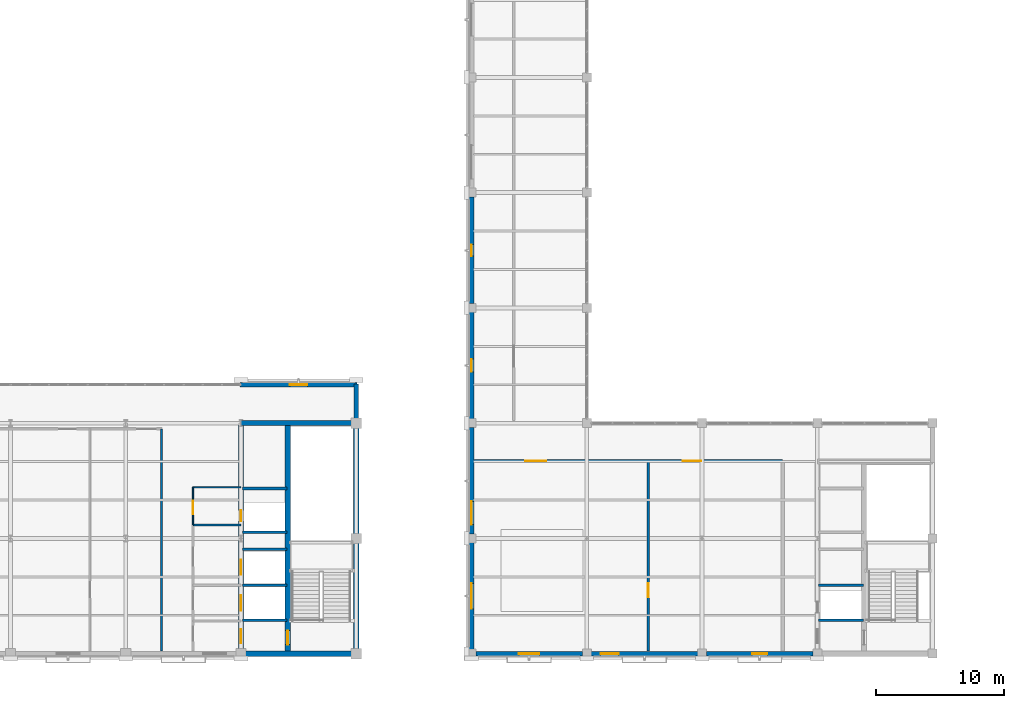
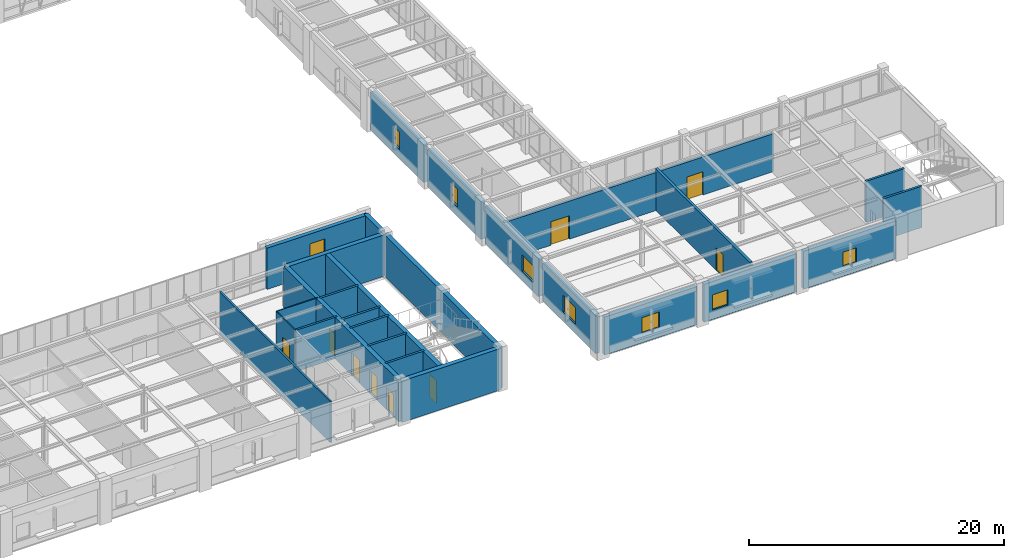
# One storey, part 92 of 108: 27 walls, 9 doors, 8 windows, 17 openings.
"""IFC4 building model written with IfcOpenShell, lengths in metres."""

from ifc_helpers import new_model, si_unit, direction, frame, frame_2d, origin, place, context, subcontext, project, spatial, rectangle, extrude, material, layer, layer_set, type_object, element, fill, save


model = new_model("IFC4")

# Units and contexts
model_context = context("Model", 3, precision=1e-05, world=origin(), true_north=direction((0.0, 1.0)))
body_context = subcontext(model_context, "Body", "Model", "MODEL_VIEW")
ifc_project = project(units=[si_unit("LENGTHUNIT", "METRE"), si_unit("AREAUNIT", "SQUARE_METRE"), si_unit("VOLUMEUNIT", "CUBIC_METRE"), si_unit("PLANEANGLEUNIT", "RADIAN"), si_unit("MASSUNIT", "GRAM", prefix="KILO")], contexts=[model_context])

# Site, building, storey
site_placement = place(None, origin())
site = spatial("IfcSite", under=ifc_project, at=site_placement, CompositionType="ELEMENT")
building_placement = place(site_placement, origin())
building = spatial("IfcBuilding", under=site, at=building_placement, Name="Lykobir Media Centre", CompositionType="ELEMENT")
storey_placement = place(building_placement, frame((0.0, 0.0, 15.0)))
storey = spatial("IfcBuildingStorey", under=building, at=storey_placement, Name="L03", CompositionType="ELEMENT", Elevation=15.0)

# Wall
ifc_material_1 = material(Name="Architectural Ochre Brick", Category="masonry")
ifc_layer_1 = layer(ifc_material_1, 0.360107421875, Name="Architectural Ochre Brick")
ifc_layer_set_1 = layer_set([ifc_layer_1], Name="Architectural Ochre Brick")
wall_type_1 = type_object("IfcWallType", Name="EW-BRK-360", PredefinedType="STANDARD", material=ifc_layer_set_1)
wall_1_placement = place(storey_placement, frame((81.0, 18.385009765625, 0.0), z_axis=(0.0, 0.0, 1.0), x_axis=(0.0, 1.0, 0.0)))
element("IfcWall", 1, at=wall_1_placement, inside=storey, type_object=wall_type_1, Name="Exterior wall WALL-L03-0236", PredefinedType="STANDARD", context=body_context, shape_type="SweptSolid", body=[
    extrude(rectangle(XDim=2.68994140625, YDim=0.360107421875, at=frame_2d((1.344970703125, 0.0))), origin(), (0.0, 0.0, 1.0), 3.93994140625),
])

# Wall, opening, window
wall_2_placement = place(storey_placement, frame((81.074951171875, 21.0, 0.0), z_axis=(0.0, 0.0, 1.0), x_axis=(-1.0, 0.0, 0.0)))
wall_2 = element("IfcWall", 2, at=wall_2_placement, inside=storey, type_object=wall_type_1, Name="Exterior wall WALL-L03-0237", PredefinedType="STANDARD", context=body_context, shape_type="SweptSolid", body=[
    extrude(rectangle(XDim=9.14990234375, YDim=0.360107421875, at=frame_2d((4.574951171875, 0.0))), origin(), (0.0, 0.0, 1.0), 3.93994140625),
])
opening_1_placement = place(wall_2_placement, frame((3.89990234375, 0.0, 0.89990234375)))
opening_1 = element("IfcOpeningElement", 3, at=opening_1_placement, cuts=wall_2, Name="Opening WN-1350x2100", PredefinedType="OPENING", context=body_context, shape_type="SweptSolid", body=[
    extrude(rectangle(XDim=1.35009765625, YDim=2.10009765625, at=frame_2d((0.675048828125, 1.050048828125))), frame((0.0, 0.18994140625, 0.0), z_axis=(0.0, -1.0, 0.0), x_axis=(1.0, 0.0, 0.0)), (0.0, 0.0, 1.0), 0.380126953125),
])
ifc_material_2 = material(Name="Low-E Laminated Triple Glazing", Category="glass")
window_type_1 = type_object("IfcWindowType", Name="WN-1350x2100", PartitioningType="SINGLE_PANEL", PredefinedType="WINDOW", material=ifc_material_2)
window_1_placement = place(opening_1_placement, origin())
window_1 = element("IfcWindow", 4, at=window_1_placement, inside=storey, type_object=window_type_1, Name="Window WIN-L03-0077", OverallHeight=2.10009765625, OverallWidth=1.35009765625, PartitioningType="SINGLE_PANEL", PredefinedType="WINDOW", context=body_context, shape_type="SweptSolid", body=[
    extrude(rectangle(XDim=1.35009765625, YDim=2.10009765625, at=frame_2d((0.675048828125, 1.050048828125))), frame((0.0, 0.030029296875, 0.0), z_axis=(0.0, -1.0, 0.0), x_axis=(1.0, 0.0, 0.0)), (0.0, 0.0, 1.0), 0.06005859375),
])
fill(opening_1, window_1)

wall_3_placement = place(storey_placement, frame((90.0, 26.6650390625, 0.0), z_axis=(0.0, 0.0, 1.0), x_axis=(0.0, -1.0, 0.0)))
wall_3 = element("IfcWall", 5, at=wall_3_placement, inside=storey, type_object=wall_type_1, Name="Exterior wall WALL-L03-0252", PredefinedType="STANDARD", context=body_context, shape_type="SweptSolid", body=[
    extrude(rectangle(XDim=8.330078125, YDim=0.360107421875, at=frame_2d((4.1650390625, 0.0))), origin(), (0.0, 0.0, 1.0), 3.635009765625),
])
opening_2_placement = place(wall_3_placement, frame((3.6650390625, 0.0, 0.89990234375)))
opening_2 = element("IfcOpeningElement", 6, at=opening_2_placement, cuts=wall_3, Name="Opening WN-1000x1700", PredefinedType="OPENING", context=body_context, shape_type="SweptSolid", body=[
    extrude(rectangle(XDim=1.0, YDim=1.699951171875, at=frame_2d((0.5, 0.85009765625))), frame((0.0, 0.18994140625, 0.0), z_axis=(0.0, -1.0, 0.0), x_axis=(1.0, 0.0, 0.0)), (0.0, 0.0, 1.0), 0.380126953125),
])
window_type_2 = type_object("IfcWindowType", Name="WN-1000x1700", PartitioningType="SINGLE_PANEL", PredefinedType="WINDOW", material=ifc_material_2)
window_2_placement = place(opening_2_placement, origin())
window_2 = element("IfcWindow", 7, at=window_2_placement, inside=storey, type_object=window_type_2, Name="Window WIN-L03-0083", OverallHeight=1.699951171875, OverallWidth=1.0, PartitioningType="SINGLE_PANEL", PredefinedType="WINDOW", context=body_context, shape_type="SweptSolid", body=[
    extrude(rectangle(XDim=1.0, YDim=1.699951171875, at=frame_2d((0.5, 0.85009765625))), frame((0.0, 0.030029296875, 0.0), z_axis=(0.0, -1.0, 0.0), x_axis=(1.0, 0.0, 0.0)), (0.0, 0.0, 1.0), 0.06005859375),
])
fill(opening_2, window_2)

wall_4_placement = place(storey_placement, frame((90.0, 35.6650390625, 0.0), z_axis=(0.0, 0.0, 1.0), x_axis=(0.0, -1.0, 0.0)))
wall_4 = element("IfcWall", 8, at=wall_4_placement, inside=storey, type_object=wall_type_1, Name="Exterior wall WALL-L03-0253", PredefinedType="STANDARD", context=body_context, shape_type="SweptSolid", body=[
    extrude(rectangle(XDim=8.330078125, YDim=0.360107421875, at=frame_2d((4.1650390625, 0.0))), origin(), (0.0, 0.0, 1.0), 3.635009765625),
])
opening_3_placement = place(wall_4_placement, frame((3.715087890625, 0.0, 0.89990234375)))
opening_3 = element("IfcOpeningElement", 9, at=opening_3_placement, cuts=wall_4, Name="Opening WN-0900x1650", PredefinedType="OPENING", context=body_context, shape_type="SweptSolid", body=[
    extrude(rectangle(XDim=0.89990234375, YDim=1.64990234375, at=frame_2d((0.449951171875, 0.824951171875))), frame((0.0, 0.18994140625, 0.0), z_axis=(0.0, -1.0, 0.0), x_axis=(1.0, 0.0, 0.0)), (0.0, 0.0, 1.0), 0.380126953125),
])
window_type_3 = type_object("IfcWindowType", Name="WN-0900x1650", PartitioningType="SINGLE_PANEL", PredefinedType="WINDOW", material=ifc_material_2)
window_3_placement = place(opening_3_placement, origin())
window_3 = element("IfcWindow", 10, at=window_3_placement, inside=storey, type_object=window_type_3, Name="Window WIN-L03-0084", OverallHeight=1.64990234375, OverallWidth=0.89990234375, PartitioningType="SINGLE_PANEL", PredefinedType="WINDOW", context=body_context, shape_type="SweptSolid", body=[
    extrude(rectangle(XDim=0.89990234375, YDim=1.64990234375, at=frame_2d((0.449951171875, 0.824951171875))), frame((0.0, 0.030029296875, 0.0), z_axis=(0.0, -1.0, 0.0), x_axis=(1.0, 0.0, 0.0)), (0.0, 0.0, 1.0), 0.06005859375),
])
fill(opening_3, window_3)

wall_5_placement = place(storey_placement, frame((90.0, 8.6650390625, 0.0), z_axis=(0.0, 0.0, 1.0), x_axis=(0.0, -1.0, 0.0)))
wall_5 = element("IfcWall", 11, at=wall_5_placement, inside=storey, type_object=wall_type_1, Name="Exterior wall WALL-L03-0258", PredefinedType="STANDARD", context=body_context, shape_type="SweptSolid", body=[
    extrude(rectangle(XDim=8.330078125, YDim=0.360107421875, at=frame_2d((4.1650390625, 0.0))), origin(), (0.0, 0.0, 1.0), 3.635009765625),
])
opening_4_placement = place(wall_5_placement, frame((3.1650390625, 0.0, 0.89990234375)))
opening_4 = element("IfcOpeningElement", 12, at=opening_4_placement, cuts=wall_5, Name="Opening WN-2000x1600", PredefinedType="OPENING", context=body_context, shape_type="SweptSolid", body=[
    extrude(rectangle(XDim=2.0, YDim=1.60009765625, at=frame_2d((1.0, 0.800048828125))), frame((0.0, 0.18994140625, 0.0), z_axis=(0.0, -1.0, 0.0), x_axis=(1.0, 0.0, 0.0)), (0.0, 0.0, 1.0), 0.380126953125),
])
window_type_4 = type_object("IfcWindowType", Name="WN-2000x1600", PartitioningType="SINGLE_PANEL", PredefinedType="WINDOW", material=ifc_material_2)
window_4_placement = place(opening_4_placement, origin())
window_4 = element("IfcWindow", 13, at=window_4_placement, inside=storey, type_object=window_type_4, Name="Window WIN-L03-0089", OverallHeight=1.60009765625, OverallWidth=2.0, PartitioningType="SINGLE_PANEL", PredefinedType="WINDOW", context=body_context, shape_type="SweptSolid", body=[
    extrude(rectangle(XDim=2.0, YDim=1.60009765625, at=frame_2d((1.0, 0.800048828125))), frame((0.0, 0.030029296875, 0.0), z_axis=(0.0, -1.0, 0.0), x_axis=(1.0, 0.0, 0.0)), (0.0, 0.0, 1.0), 0.06005859375),
])
fill(opening_4, window_4)

wall_6_placement = place(storey_placement, frame((90.0, 17.6650390625, 0.0), z_axis=(0.0, 0.0, 1.0), x_axis=(0.0, -1.0, 0.0)))
wall_6 = element("IfcWall", 14, at=wall_6_placement, inside=storey, type_object=wall_type_1, Name="Exterior wall WALL-L03-0259", PredefinedType="STANDARD", context=body_context, shape_type="SweptSolid", body=[
    extrude(rectangle(XDim=8.330078125, YDim=0.360107421875, at=frame_2d((4.1650390625, 0.0))), origin(), (0.0, 0.0, 1.0), 3.635009765625),
])
opening_5_placement = place(wall_6_placement, frame((5.780029296875, 0.0, 0.89990234375)))
opening_5 = element("IfcOpeningElement", 15, at=opening_5_placement, cuts=wall_6, Name="Opening WN-1800x1550", PredefinedType="OPENING", context=body_context, shape_type="SweptSolid", body=[
    extrude(rectangle(XDim=1.800048828125, YDim=1.550048828125, at=frame_2d((0.89990234375, 0.77490234375))), frame((0.0, 0.18994140625, 0.0), z_axis=(0.0, -1.0, 0.0), x_axis=(1.0, 0.0, 0.0)), (0.0, 0.0, 1.0), 0.380126953125),
])
window_type_5 = type_object("IfcWindowType", Name="WN-1800x1550", PartitioningType="SINGLE_PANEL", PredefinedType="WINDOW", material=ifc_material_2)
window_5_placement = place(opening_5_placement, origin())
window_5 = element("IfcWindow", 16, at=window_5_placement, inside=storey, type_object=window_type_5, Name="Window WIN-L03-0090", OverallHeight=1.550048828125, OverallWidth=1.800048828125, PartitioningType="SINGLE_PANEL", PredefinedType="WINDOW", context=body_context, shape_type="SweptSolid", body=[
    extrude(rectangle(XDim=1.800048828125, YDim=1.550048828125, at=frame_2d((0.89990234375, 0.77490234375))), frame((0.0, 0.030029296875, 0.0), z_axis=(0.0, -1.0, 0.0), x_axis=(1.0, 0.0, 0.0)), (0.0, 0.0, 1.0), 0.06005859375),
])
fill(opening_5, window_5)

wall_7_placement = place(storey_placement, frame((90.3349609375, 0.0, 0.0), z_axis=(0.0, 0.0, 1.0), x_axis=(1.0, 0.0, 0.0)))
wall_7 = element("IfcWall", 17, at=wall_7_placement, inside=storey, type_object=wall_type_1, Name="Exterior wall WALL-L03-0260", PredefinedType="STANDARD", context=body_context, shape_type="SweptSolid", body=[
    extrude(rectangle(XDim=8.330078125, YDim=0.360107421875, at=frame_2d((4.1650390625, 0.0))), origin(), (0.0, 0.0, 1.0), 3.635009765625),
])
opening_6_placement = place(wall_7_placement, frame((3.364990234375, 0.0, 0.89990234375)))
opening_6 = element("IfcOpeningElement", 18, at=opening_6_placement, cuts=wall_7, Name="Opening WN-1600x1500", PredefinedType="OPENING", context=body_context, shape_type="SweptSolid", body=[
    extrude(rectangle(XDim=1.60009765625, YDim=1.5, at=frame_2d((0.800048828125, 0.75))), frame((0.0, 0.18994140625, 0.0), z_axis=(0.0, -1.0, 0.0), x_axis=(1.0, 0.0, 0.0)), (0.0, 0.0, 1.0), 0.380126953125),
])
window_type_6 = type_object("IfcWindowType", Name="WN-1600x1500", PartitioningType="SINGLE_PANEL", PredefinedType="WINDOW", material=ifc_material_2)
window_6_placement = place(opening_6_placement, origin())
window_6 = element("IfcWindow", 19, at=window_6_placement, inside=storey, type_object=window_type_6, Name="Window WIN-L03-0091", OverallHeight=1.5, OverallWidth=1.60009765625, PartitioningType="SINGLE_PANEL", PredefinedType="WINDOW", context=body_context, shape_type="SweptSolid", body=[
    extrude(rectangle(XDim=1.60009765625, YDim=1.5, at=frame_2d((0.800048828125, 0.75))), frame((0.0, 0.030029296875, 0.0), z_axis=(0.0, -1.0, 0.0), x_axis=(1.0, 0.0, 0.0)), (0.0, 0.0, 1.0), 0.06005859375),
])
fill(opening_6, window_6)

wall_8_placement = place(storey_placement, frame((99.3349609375, 0.0, 0.0), z_axis=(0.0, 0.0, 1.0), x_axis=(1.0, 0.0, 0.0)))
wall_8 = element("IfcWall", 20, at=wall_8_placement, inside=storey, type_object=wall_type_1, Name="Exterior wall WALL-L03-0261", PredefinedType="STANDARD", context=body_context, shape_type="SweptSolid", body=[
    extrude(rectangle(XDim=8.330078125, YDim=0.360107421875, at=frame_2d((4.1650390625, 0.0))), origin(), (0.0, 0.0, 1.0), 3.635009765625),
])
opening_7_placement = place(wall_8_placement, frame((0.75, 0.0, 0.89990234375)))
opening_7 = element("IfcOpeningElement", 21, at=opening_7_placement, cuts=wall_8, Name="Opening WN-1400x1450", PredefinedType="OPENING", context=body_context, shape_type="SweptSolid", body=[
    extrude(rectangle(XDim=1.39990234375, YDim=1.449951171875, at=frame_2d((0.699951171875, 0.72509765625))), frame((0.0, 0.18994140625, 0.0), z_axis=(0.0, -1.0, 0.0), x_axis=(1.0, 0.0, 0.0)), (0.0, 0.0, 1.0), 0.380126953125),
])
window_type_7 = type_object("IfcWindowType", Name="WN-1400x1450", PartitioningType="SINGLE_PANEL", PredefinedType="WINDOW", material=ifc_material_2)
window_7_placement = place(opening_7_placement, origin())
window_7 = element("IfcWindow", 22, at=window_7_placement, inside=storey, type_object=window_type_7, Name="Window WIN-L03-0092", OverallHeight=1.449951171875, OverallWidth=1.39990234375, PartitioningType="SINGLE_PANEL", PredefinedType="WINDOW", context=body_context, shape_type="SweptSolid", body=[
    extrude(rectangle(XDim=1.39990234375, YDim=1.449951171875, at=frame_2d((0.699951171875, 0.72509765625))), frame((0.0, 0.030029296875, 0.0), z_axis=(0.0, -1.0, 0.0), x_axis=(1.0, 0.0, 0.0)), (0.0, 0.0, 1.0), 0.06005859375),
])
fill(opening_7, window_7)

wall_9_placement = place(storey_placement, frame((108.3349609375, 0.0, 0.0), z_axis=(0.0, 0.0, 1.0), x_axis=(1.0, 0.0, 0.0)))
wall_9 = element("IfcWall", 23, at=wall_9_placement, inside=storey, type_object=wall_type_1, Name="Exterior wall WALL-L03-0262", PredefinedType="STANDARD", context=body_context, shape_type="SweptSolid", body=[
    extrude(rectangle(XDim=8.330078125, YDim=0.360107421875, at=frame_2d((4.1650390625, 0.0))), origin(), (0.0, 0.0, 1.0), 3.635009765625),
])
opening_8_placement = place(wall_9_placement, frame((3.56494140625, 0.0, 0.89990234375)))
opening_8 = element("IfcOpeningElement", 24, at=opening_8_placement, cuts=wall_9, Name="Opening WN-1200x1400", PredefinedType="OPENING", context=body_context, shape_type="SweptSolid", body=[
    extrude(rectangle(XDim=1.199951171875, YDim=1.39990234375, at=frame_2d((0.60009765625, 0.699951171875))), frame((0.0, 0.18994140625, 0.0), z_axis=(0.0, -1.0, 0.0), x_axis=(1.0, 0.0, 0.0)), (0.0, 0.0, 1.0), 0.380126953125),
])
window_type_8 = type_object("IfcWindowType", Name="WN-1200x1400", PartitioningType="SINGLE_PANEL", PredefinedType="WINDOW", material=ifc_material_2)
window_8_placement = place(opening_8_placement, origin())
window_8 = element("IfcWindow", 25, at=window_8_placement, inside=storey, type_object=window_type_8, Name="Window WIN-L03-0093", OverallHeight=1.39990234375, OverallWidth=1.199951171875, PartitioningType="SINGLE_PANEL", PredefinedType="WINDOW", context=body_context, shape_type="SweptSolid", body=[
    extrude(rectangle(XDim=1.199951171875, YDim=1.39990234375, at=frame_2d((0.60009765625, 0.699951171875))), frame((0.0, 0.030029296875, 0.0), z_axis=(0.0, -1.0, 0.0), x_axis=(1.0, 0.0, 0.0)), (0.0, 0.0, 1.0), 0.06005859375),
])
fill(opening_8, window_8)

# Walls
ifc_material_3 = material(Name="Acoustic Gypsum Board", Category="gypsum")
ifc_layer_2 = layer(ifc_material_3, 0.159912109375, Name="Acoustic Gypsum Board")
ifc_layer_set_2 = layer_set([ifc_layer_2], Name="Acoustic Gypsum Board")
wall_type_2 = type_object("IfcWallType", Name="IW-COR-160", PredefinedType="PARTITIONING", material=ifc_layer_set_2)
wall_10_placement = place(storey_placement, frame((65.800048828125, 0.219970703125, 0.0), z_axis=(0.0, 0.0, 1.0), x_axis=(0.0, 1.0, 0.0)))
element("IfcWall", 26, at=wall_10_placement, inside=storey, type_object=wall_type_2, Name="Wall IWALL-L03-0717", PredefinedType="PARTITIONING", context=body_context, shape_type="SweptSolid", body=[
    extrude(rectangle(XDim=17.330078125, YDim=0.159912109375, at=frame_2d((8.6650390625, 0.0))), origin(), (0.0, 0.0, 1.0), 3.9599609375),
])
ifc_layer_3 = layer(ifc_material_3, 0.179931640625, Name="Acoustic Gypsum Board")
ifc_layer_set_3 = layer_set([ifc_layer_3], Name="Acoustic Gypsum Board")
wall_type_3 = type_object("IfcWallType", Name="IW-FFLOB-180", PredefinedType="PARTITIONING", material=ifc_layer_set_3)
wall_11_placement = place(storey_placement, frame((68.25, 10.050048828125, 0.0), z_axis=(0.0, 0.0, 1.0), x_axis=(1.0, 0.0, 0.0)))
element("IfcWall", 27, at=wall_11_placement, inside=storey, type_object=wall_type_3, Name="Wall IWALL-L03-0260", PredefinedType="PARTITIONING", context=body_context, shape_type="SweptSolid", body=[
    extrude(rectangle(XDim=3.75, YDim=0.179931640625, at=frame_2d((1.875, 0.0))), origin(), (0.0, 0.0, 1.0), 3.9599609375),
])
ifc_material_4 = material(Name="Concrete C30/37", Category="concrete")
ifc_layer_4 = layer(ifc_material_4, 0.199951171875, Name="Concrete C30/37")
ifc_layer_set_4 = layer_set([ifc_layer_4], Name="Concrete C30/37")
wall_type_4 = type_object("IfcWallType", Name="IW-SHAFT-200", PredefinedType="PARTITIONING", material=ifc_layer_set_4)
for number, where, z_axis, x_axis, name in (
    (28, (72.10009765625, 2.60009765625, 0.0), (0.0, 0.0, 1.0), (1.0, 0.0, 0.0), "Wall IWALL-L03-0252"),
    (29, (72.10009765625, 5.35009765625, 0.0), (0.0, 0.0, 1.0), (1.0, 0.0, 0.0), "Wall IWALL-L03-0253"),
    (30, (72.10009765625, 8.14990234375, 0.0), (0.0, 0.0, 1.0), (1.0, 0.0, 0.0), "Wall IWALL-L03-0254"),
    (31, (72.10009765625, 9.5, 0.0), (0.0, 0.0, 1.0), (1.0, 0.0, 0.0), "Wall IWALL-L03-0255"),
    (32, (72.10009765625, 12.89990234375, 0.0), (0.0, 0.0, 1.0), (1.0, 0.0, 0.0), "Wall IWALL-L03-0256"),
    (33, (117.10009765625, 2.60009765625, 0.0), (0.0, 0.0, 1.0), (1.0, 0.0, 0.0), "Wall IWALL-L03-0619"),
    (34, (117.10009765625, 5.35009765625, 0.0), (0.0, 0.0, 1.0), (1.0, 0.0, 0.0), "Wall IWALL-L03-0620"),
):
    element("IfcWall", number, at=place(storey_placement, frame(where, z_axis=z_axis, x_axis=x_axis)), inside=storey, type_object=wall_type_4, Name=name, PredefinedType="PARTITIONING", context=body_context, shape_type="SweptSolid", body=[
        extrude(rectangle(XDim=3.5, YDim=0.199951171875, at=frame_2d((1.75, 0.0))), origin(), (0.0, 0.0, 1.0), 3.9599609375),
    ])

# Wall, opening, door
ifc_layer_5 = layer(ifc_material_3, 0.219970703125, Name="Acoustic Gypsum Board")
ifc_layer_set_5 = layer_set([ifc_layer_5], Name="Acoustic Gypsum Board")
wall_type_5 = type_object("IfcWallType", Name="IW-STU-220", PredefinedType="PARTITIONING", material=ifc_layer_set_5)
wall_12_placement = place(storey_placement, frame((103.800048828125, 0.219970703125, 0.0), z_axis=(0.0, 0.0, 1.0), x_axis=(0.0, 1.0, 0.0)))
wall_12 = element("IfcWall", 35, at=wall_12_placement, inside=storey, type_object=wall_type_5, Name="Wall IWALL-L03-0731", PredefinedType="PARTITIONING", context=body_context, shape_type="SweptSolid", body=[
    extrude(rectangle(XDim=14.830078125, YDim=0.219970703125, at=frame_2d((7.4150390625, 0.0))), origin(), (0.0, 0.0, 1.0), 3.9599609375),
])
opening_9_placement = place(wall_12_placement, frame((4.199951171875, 0.0, 0.0)))
opening_9 = element("IfcOpeningElement", 36, at=opening_9_placement, cuts=wall_12, Name="Opening D-L03-RADS", PredefinedType="OPENING", context=body_context, shape_type="SweptSolid", body=[
    extrude(rectangle(XDim=1.10009765625, YDim=2.159912109375, at=frame_2d((0.550048828125, 1.080078125))), frame((0.0, 0.119873046875, 0.0), z_axis=(0.0, -1.0, 0.0), x_axis=(1.0, 0.0, 0.0)), (0.0, 0.0, 1.0), 0.239990234375),
])
ifc_material_5 = material(Name="Acoustic Timber Panelling", Category="wood")
door_type_1 = type_object("IfcDoorType", Name="FD-1100x2160", OperationType="NOTDEFINED", PredefinedType="DOOR", material=ifc_material_5)
door_1_placement = place(opening_9_placement, origin())
door_1 = element("IfcDoor", 37, at=door_1_placement, inside=storey, type_object=door_type_1, Name="Door D-L03-RADS", OperationType="SINGLE_SWING_LEFT", OverallHeight=2.159912109375, OverallWidth=1.10009765625, PredefinedType="DOOR", context=body_context, shape_type="SweptSolid", body=[
    extrude(rectangle(XDim=1.10009765625, YDim=2.159912109375, at=frame_2d((0.550048828125, 1.080078125))), frame((0.0, 0.02490234375, 0.0), z_axis=(0.0, -1.0, 0.0), x_axis=(1.0, 0.0, 0.0)), (0.0, 0.0, 1.0), 0.050048828125),
])
fill(opening_9, door_1)

# Wall, openings, doors
ifc_layer_6 = layer(ifc_material_3, 0.260009765625, Name="Acoustic Gypsum Board")
ifc_layer_set_6 = layer_set([ifc_layer_6], Name="Acoustic Gypsum Board")
wall_type_6 = type_object("IfcWallType", Name="IW-STU-260", PredefinedType="PARTITIONING", material=ifc_layer_set_6)
wall_13_placement = place(storey_placement, frame((90.0, 15.050048828125, 0.0), z_axis=(0.0, 0.0, 1.0), x_axis=(1.0, 0.0, 0.0)))
wall_13 = element("IfcWall", 38, at=wall_13_placement, inside=storey, type_object=wall_type_6, Name="Wall IWALL-L03-0728", PredefinedType="PARTITIONING", context=body_context, shape_type="SweptSolid", body=[
    extrude(rectangle(XDim=24.300048828125, YDim=0.260009765625, at=frame_2d((12.14990234375, 0.0))), origin(), (0.0, 0.0, 1.0), 3.64501953125),
])
opening_10_placement = place(wall_13_placement, frame((4.199951171875, 0.0, 0.0)))
opening_10 = element("IfcOpeningElement", 39, at=opening_10_placement, cuts=wall_13, Name="Opening D-L03-ES1", PredefinedType="OPENING", context=body_context, shape_type="SweptSolid", body=[
    extrude(rectangle(XDim=1.64990234375, YDim=2.25, at=frame_2d((0.824951171875, 1.125))), frame((0.0, 0.139892578125, 0.0), z_axis=(0.0, -1.0, 0.0), x_axis=(1.0, 0.0, 0.0)), (0.0, 0.0, 1.0), 0.280029296875),
])
opening_11_placement = place(wall_13_placement, frame((16.5, 0.0, 0.0)))
opening_11 = element("IfcOpeningElement", 40, at=opening_11_placement, cuts=wall_13, Name="Opening D-L03-ES2", PredefinedType="OPENING", context=body_context, shape_type="SweptSolid", body=[
    extrude(rectangle(XDim=1.449951171875, YDim=2.219970703125, at=frame_2d((0.72509765625, 1.10986328125))), frame((0.0, 0.139892578125, 0.0), z_axis=(0.0, -1.0, 0.0), x_axis=(1.0, 0.0, 0.0)), (0.0, 0.0, 1.0), 0.280029296875),
])
door_type_2 = type_object("IfcDoorType", Name="FD-1450x2220", OperationType="NOTDEFINED", PredefinedType="DOOR", material=ifc_material_5)
door_2_placement = place(opening_11_placement, origin())
door_2 = element("IfcDoor", 41, at=door_2_placement, inside=storey, type_object=door_type_2, Name="Door D-L03-ES2", OperationType="DOUBLE_DOOR_SINGLE_SWING", OverallHeight=2.219970703125, OverallWidth=1.449951171875, PredefinedType="DOOR", context=body_context, shape_type="SweptSolid", body=[
    extrude(rectangle(XDim=1.449951171875, YDim=2.219970703125, at=frame_2d((0.72509765625, 1.10986328125))), frame((0.0, 0.02490234375, 0.0), z_axis=(0.0, -1.0, 0.0), x_axis=(1.0, 0.0, 0.0)), (0.0, 0.0, 1.0), 0.050048828125),
])
fill(opening_11, door_2)
door_type_3 = type_object("IfcDoorType", Name="FD-1650x2250", OperationType="NOTDEFINED", PredefinedType="DOOR", material=ifc_material_5)
door_3_placement = place(opening_10_placement, origin())
door_3 = element("IfcDoor", 42, at=door_3_placement, inside=storey, type_object=door_type_3, Name="Door D-L03-ES1", OperationType="DOUBLE_DOOR_SINGLE_SWING", OverallHeight=2.25, OverallWidth=1.64990234375, PredefinedType="DOOR", context=body_context, shape_type="SweptSolid", body=[
    extrude(rectangle(XDim=1.64990234375, YDim=2.25, at=frame_2d((0.824951171875, 1.125))), frame((0.0, 0.02490234375, 0.0), z_axis=(0.0, -1.0, 0.0), x_axis=(1.0, 0.0, 0.0)), (0.0, 0.0, 1.0), 0.050048828125),
])
fill(opening_10, door_3)

# Wall, opening, door
ifc_layer_7 = layer(ifc_material_3, 0.094970703125, Name="Acoustic Gypsum Board")
ifc_layer_set_7 = layer_set([ifc_layer_7], Name="Acoustic Gypsum Board")
wall_type_7 = type_object("IfcWallType", Name="IW-WC-095", PredefinedType="PARTITIONING", material=ifc_layer_set_7)
wall_14_placement = place(storey_placement, frame((68.25, 10.050048828125, 0.0), z_axis=(0.0, 0.0, 1.0), x_axis=(0.0, 1.0, 0.0)))
wall_14 = element("IfcWall", 43, at=wall_14_placement, inside=storey, type_object=wall_type_7, Name="Wall IWALL-L03-0261", PredefinedType="PARTITIONING", context=body_context, shape_type="SweptSolid", body=[
    extrude(rectangle(XDim=2.949951171875, YDim=0.094970703125, at=frame_2d((1.47509765625, 0.0))), origin(), (0.0, 0.0, 1.0), 3.9599609375),
])
opening_12_placement = place(wall_14_placement, frame((0.85009765625, 0.0, 0.0)))
opening_12 = element("IfcOpeningElement", 44, at=opening_12_placement, cuts=wall_14, Name="Opening D-L03-WCA2", PredefinedType="OPENING", context=body_context, shape_type="SweptSolid", body=[
    extrude(rectangle(XDim=1.050048828125, YDim=2.1298828125, at=frame_2d((0.52490234375, 1.06494140625))), frame((0.0, 0.057373046875, 0.0), z_axis=(0.0, -1.0, 0.0), x_axis=(1.0, 0.0, 0.0)), (0.0, 0.0, 1.0), 0.114990234375),
])
door_type_4 = type_object("IfcDoorType", Name="ID-1050x2130", OperationType="NOTDEFINED", PredefinedType="DOOR", material=ifc_material_5)
door_4_placement = place(opening_12_placement, origin())
door_4 = element("IfcDoor", 45, at=door_4_placement, inside=storey, type_object=door_type_4, Name="Door D-L03-WCA2", OperationType="SINGLE_SWING_RIGHT", OverallHeight=2.1298828125, OverallWidth=1.050048828125, PredefinedType="DOOR", context=body_context, shape_type="SweptSolid", body=[
    extrude(rectangle(XDim=1.050048828125, YDim=2.1298828125, at=frame_2d((0.52490234375, 1.06494140625))), frame((0.0, 0.02490234375, 0.0), z_axis=(0.0, -1.0, 0.0), x_axis=(1.0, 0.0, 0.0)), (0.0, 0.0, 1.0), 0.050048828125),
])
fill(opening_12, door_4)

# Wall
wall_15_placement = place(storey_placement, frame((68.25, 13.0, 0.0), z_axis=(0.0, 0.0, 1.0), x_axis=(1.0, 0.0, 0.0)))
element("IfcWall", 46, at=wall_15_placement, inside=storey, type_object=wall_type_7, Name="Wall IWALL-L03-0262", PredefinedType="PARTITIONING", context=body_context, shape_type="SweptSolid", body=[
    extrude(rectangle(XDim=3.75, YDim=0.094970703125, at=frame_2d((1.875, 0.0))), origin(), (0.0, 0.0, 1.0), 3.9599609375),
])

# Wall, openings, doors
ifc_material_6 = material(Name="Concrete C40/50", Category="concrete")
ifc_layer_8 = layer(ifc_material_6, 0.39990234375, Name="Concrete C40/50")
ifc_layer_set_8 = layer_set([ifc_layer_8], Name="Concrete C40/50")
wall_type_8 = type_object("IfcWallType", Name="SW-CORE-400", PredefinedType="SHEAR", material=ifc_layer_set_8)
wall_16_placement = place(storey_placement, frame((72.0, 18.0, 0.0), z_axis=(0.0, 0.0, 1.0), x_axis=(0.0, -1.0, 0.0)))
wall_16 = element("IfcWall", 47, at=wall_16_placement, inside=storey, type_object=wall_type_8, Name="Wall IWALL-L03-0250", PredefinedType="SHEAR", context=body_context, shape_type="SweptSolid", body=[
    extrude(rectangle(XDim=18.0, YDim=0.39990234375, at=frame_2d((9.0, 0.0))), origin(), (0.0, 0.0, 1.0), 3.9599609375),
])
opening_13_placement = place(wall_16_placement, frame((16.10009765625, 0.0, 0.0)))
opening_13 = element("IfcOpeningElement", 48, at=opening_13_placement, cuts=wall_16, Name="Opening D-L03-C2VB", PredefinedType="OPENING", context=body_context, shape_type="SweptSolid", body=[
    extrude(rectangle(XDim=1.10009765625, YDim=2.159912109375, at=frame_2d((0.550048828125, 1.080078125))), frame((0.0, 0.2099609375, 0.0), z_axis=(0.0, -1.0, 0.0), x_axis=(1.0, 0.0, 0.0)), (0.0, 0.0, 1.0), 0.419921875),
])
opening_14_placement = place(wall_16_placement, frame((13.449951171875, 0.0, 0.0)))
opening_14 = element("IfcOpeningElement", 49, at=opening_14_placement, cuts=wall_16, Name="Opening LD-L03-PL-2", PredefinedType="OPENING", context=body_context, shape_type="SweptSolid", body=[
    extrude(rectangle(XDim=1.199951171875, YDim=2.199951171875, at=frame_2d((0.60009765625, 1.10009765625))), frame((0.0, 0.2099609375, 0.0), z_axis=(0.0, -1.0, 0.0), x_axis=(1.0, 0.0, 0.0)), (0.0, 0.0, 1.0), 0.419921875),
])
opening_15_placement = place(wall_16_placement, frame((10.64990234375, 0.0, 0.0)))
opening_15 = element("IfcOpeningElement", 50, at=opening_15_placement, cuts=wall_16, Name="Opening LD-L03-FL-2", PredefinedType="OPENING", context=body_context, shape_type="SweptSolid", body=[
    extrude(rectangle(XDim=1.199951171875, YDim=2.199951171875, at=frame_2d((0.60009765625, 1.10009765625))), frame((0.0, 0.2099609375, 0.0), z_axis=(0.0, -1.0, 0.0), x_axis=(1.0, 0.0, 0.0)), (0.0, 0.0, 1.0), 0.419921875),
])
opening_16_placement = place(wall_16_placement, frame((6.800048828125, 0.0, 0.0)))
opening_16 = element("IfcOpeningElement", 51, at=opening_16_placement, cuts=wall_16, Name="Opening D-L03-C2RS", PredefinedType="OPENING", context=body_context, shape_type="SweptSolid", body=[
    extrude(rectangle(XDim=0.85009765625, YDim=2.10009765625, at=frame_2d((0.425048828125, 1.050048828125))), frame((0.0, 0.2099609375, 0.0), z_axis=(0.0, -1.0, 0.0), x_axis=(1.0, 0.0, 0.0)), (0.0, 0.0, 1.0), 0.419921875),
])
ifc_material_7 = material(Name="Anodized Aluminium AW-6060", Category="aluminium")
door_type_5 = type_object("IfcDoorType", Name="FD-0850x2100", OperationType="NOTDEFINED", PredefinedType="DOOR", material=ifc_material_7)
door_5_placement = place(opening_16_placement, origin())
door_5 = element("IfcDoor", 52, at=door_5_placement, inside=storey, type_object=door_type_5, Name="Riser access door C2 L03", OperationType="SINGLE_SWING_RIGHT", OverallHeight=2.10009765625, OverallWidth=0.85009765625, PredefinedType="DOOR", context=body_context, shape_type="SweptSolid", body=[
    extrude(rectangle(XDim=0.85009765625, YDim=2.10009765625, at=frame_2d((0.425048828125, 1.050048828125))), frame((0.0, 0.02490234375, 0.0), z_axis=(0.0, -1.0, 0.0), x_axis=(1.0, 0.0, 0.0)), (0.0, 0.0, 1.0), 0.050048828125),
])
fill(opening_16, door_5)
door_6_placement = place(opening_13_placement, origin())
door_6 = element("IfcDoor", 53, at=door_6_placement, inside=storey, type_object=door_type_1, Name="Door D-L03-C2VB", OperationType="SINGLE_SWING_LEFT", OverallHeight=2.159912109375, OverallWidth=1.10009765625, PredefinedType="DOOR", context=body_context, shape_type="SweptSolid", body=[
    extrude(rectangle(XDim=1.10009765625, YDim=2.159912109375, at=frame_2d((0.550048828125, 1.080078125))), frame((0.0, 0.02490234375, 0.0), z_axis=(0.0, -1.0, 0.0), x_axis=(1.0, 0.0, 0.0)), (0.0, 0.0, 1.0), 0.050048828125),
])
fill(opening_13, door_6)
door_type_6 = type_object("IfcDoorType", Name="LD-1200x2200", OperationType="NOTDEFINED", PredefinedType="DOOR", material=ifc_material_7)
door_7_placement = place(opening_14_placement, origin())
door_7 = element("IfcDoor", 54, at=door_7_placement, inside=storey, type_object=door_type_6, Name="Lift landing door PL-2 L03", OperationType="SLIDING_TO_LEFT", OverallHeight=2.199951171875, OverallWidth=1.199951171875, PredefinedType="DOOR", context=body_context, shape_type="SweptSolid", body=[
    extrude(rectangle(XDim=1.199951171875, YDim=2.199951171875, at=frame_2d((0.60009765625, 1.10009765625))), frame((0.0, 0.02490234375, 0.0), z_axis=(0.0, -1.0, 0.0), x_axis=(1.0, 0.0, 0.0)), (0.0, 0.0, 1.0), 0.050048828125),
])
fill(opening_14, door_7)
door_8_placement = place(opening_15_placement, origin())
door_8 = element("IfcDoor", 55, at=door_8_placement, inside=storey, type_object=door_type_6, Name="Firefighting lift landing door FL-2 L03", OperationType="SLIDING_TO_LEFT", OverallHeight=2.199951171875, OverallWidth=1.199951171875, PredefinedType="DOOR", context=body_context, shape_type="SweptSolid", body=[
    extrude(rectangle(XDim=1.199951171875, YDim=2.199951171875, at=frame_2d((0.60009765625, 1.10009765625))), frame((0.0, 0.02490234375, 0.0), z_axis=(0.0, -1.0, 0.0), x_axis=(1.0, 0.0, 0.0)), (0.0, 0.0, 1.0), 0.050048828125),
])
fill(opening_15, door_8)

# Wall, opening, door
wall_17_placement = place(storey_placement, frame((75.64990234375, 0.0, 0.0), z_axis=(0.0, 0.0, 1.0), x_axis=(0.0, 1.0, 0.0)))
wall_17 = element("IfcWall", 56, at=wall_17_placement, inside=storey, type_object=wall_type_8, Name="Wall IWALL-L03-0251", PredefinedType="SHEAR", context=body_context, shape_type="SweptSolid", body=[
    extrude(rectangle(XDim=18.0, YDim=0.39990234375, at=frame_2d((9.0, 0.0))), origin(), (0.0, 0.0, 1.0), 3.9599609375),
])
opening_17_placement = place(wall_17_placement, frame((0.699951171875, 0.0, 0.0)))
opening_17 = element("IfcOpeningElement", 57, at=opening_17_placement, cuts=wall_17, Name="Opening D-L03-C2ST", PredefinedType="OPENING", context=body_context, shape_type="SweptSolid", body=[
    extrude(rectangle(XDim=1.10009765625, YDim=2.159912109375, at=frame_2d((0.550048828125, 1.080078125))), frame((0.0, 0.2099609375, 0.0), z_axis=(0.0, -1.0, 0.0), x_axis=(1.0, 0.0, 0.0)), (0.0, 0.0, 1.0), 0.419921875),
])
door_9_placement = place(opening_17_placement, origin())
door_9 = element("IfcDoor", 58, at=door_9_placement, inside=storey, type_object=door_type_1, Name="L03 ST-2 stairwell fire door", OperationType="SINGLE_SWING_RIGHT", OverallHeight=2.159912109375, OverallWidth=1.10009765625, PredefinedType="DOOR", context=body_context, shape_type="SweptSolid", body=[
    extrude(rectangle(XDim=1.10009765625, YDim=2.159912109375, at=frame_2d((0.550048828125, 1.080078125))), frame((0.0, 0.02490234375, 0.0), z_axis=(0.0, -1.0, 0.0), x_axis=(1.0, 0.0, 0.0)), (0.0, 0.0, 1.0), 0.050048828125),
])
fill(opening_17, door_9)

# Walls
ifc_layer_9 = layer(ifc_material_6, 0.39990234375, Name="Concrete C40/50")
ifc_layer_set_9 = layer_set([ifc_layer_9], Name="Concrete C40/50")
wall_type_9 = type_object("IfcWallType", Name="SW-CORE-400-E", PredefinedType="SHEAR", material=ifc_layer_set_9)
wall_18_placement = place(storey_placement, frame((72.0, 0.0, 0.0), z_axis=(0.0, 0.0, 1.0), x_axis=(1.0, 0.0, 0.0)))
element("IfcWall", 59, at=wall_18_placement, inside=storey, type_object=wall_type_9, Name="Wall IWALL-L03-0247", PredefinedType="SHEAR", context=body_context, shape_type="SweptSolid", body=[
    extrude(rectangle(XDim=9.0, YDim=0.39990234375, at=frame_2d((4.5, 0.0))), origin(), (0.0, 0.0, 1.0), 3.9599609375),
])
wall_19_placement = place(storey_placement, frame((81.0, 0.0, 0.0), z_axis=(0.0, 0.0, 1.0), x_axis=(0.0, 1.0, 0.0)))
element("IfcWall", 60, at=wall_19_placement, inside=storey, type_object=wall_type_9, Name="Wall IWALL-L03-0248", PredefinedType="SHEAR", context=body_context, shape_type="SweptSolid", body=[
    extrude(rectangle(XDim=18.0, YDim=0.39990234375, at=frame_2d((9.0, 0.0))), origin(), (0.0, 0.0, 1.0), 3.9599609375),
])
wall_20_placement = place(storey_placement, frame((81.0, 18.0, 0.0), z_axis=(0.0, 0.0, 1.0), x_axis=(-1.0, 0.0, 0.0)))
element("IfcWall", 61, at=wall_20_placement, inside=storey, type_object=wall_type_9, Name="Wall IWALL-L03-0249", PredefinedType="SHEAR", context=body_context, shape_type="SweptSolid", body=[
    extrude(rectangle(XDim=9.0, YDim=0.39990234375, at=frame_2d((4.5, 0.0))), origin(), (0.0, 0.0, 1.0), 3.9599609375),
])

save(model, "model.ifc")
